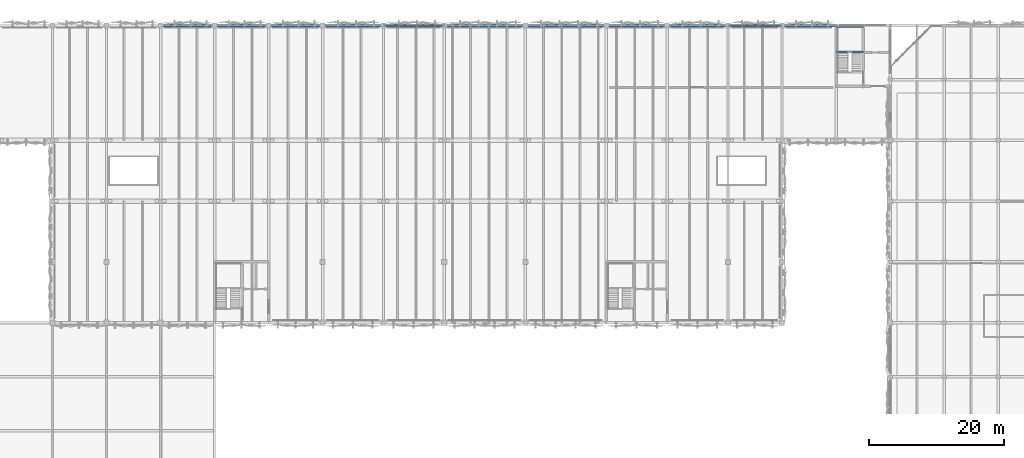
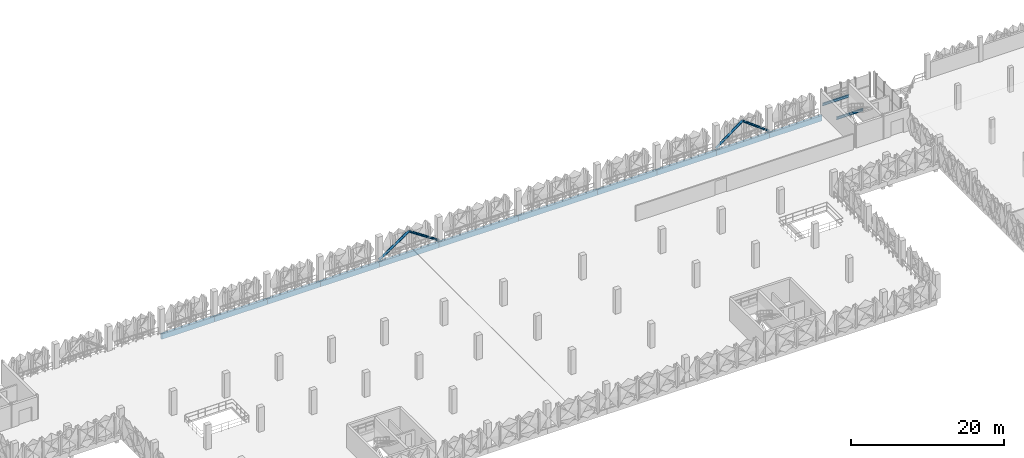
# One storey, part 28 of 76: 13 beams, 4 members.
"""IFC4 building model written with IfcOpenShell, lengths in metres."""

from ifc_helpers import new_model, si_unit, derived_unit, direction, frame, origin, origin_2d, place, context, subcontext, project, spatial, rectangle, hollow_circle, i_section, extrude, material, material_profile, profile_set, type_object, element, save


model = new_model("IFC4")

# Units and contexts
model_context = context("Model", 3, precision=1e-05, world=origin(), true_north=direction((0.0, 1.0)))
body_context = subcontext(model_context, "Body", "Model", "MODEL_VIEW")
ifc_project = project(units=[si_unit("LENGTHUNIT", "METRE"), si_unit("AREAUNIT", "SQUARE_METRE"), si_unit("VOLUMEUNIT", "CUBIC_METRE"), si_unit("PLANEANGLEUNIT", "RADIAN"), si_unit("MASSUNIT", "GRAM", prefix="KILO"), si_unit("THERMODYNAMICTEMPERATUREUNIT", "KELVIN"), derived_unit("THERMALTRANSMITTANCEUNIT", [(si_unit("POWERUNIT", "WATT"), 1), (si_unit("AREAUNIT", "SQUARE_METRE"), -1), (si_unit("THERMODYNAMICTEMPERATUREUNIT", "KELVIN"), -1)])], contexts=[model_context])

# Site, building, storey
site_placement = place(None, origin())
site = spatial("IfcSite", under=ifc_project, at=site_placement, CompositionType="ELEMENT")
building_placement = place(site_placement, origin())
building = spatial("IfcBuilding", under=site, at=building_placement, Name="Haiyu Intermodal Mobility Hub", CompositionType="ELEMENT")
storey_placement = place(building_placement, frame((0.0, 0.0, 17.300048828125)))
storey = spatial("IfcBuildingStorey", under=building, at=storey_placement, Name="L04", CompositionType="ELEMENT", Elevation=17.300048828125)

# Beams
ifc_material_1 = material(Name="Steel Q355C", Category="steel")
ifc_material_profile_1 = material_profile(ifc_material_1, i_section(OverallWidth=0.199951171875, OverallDepth=0.39990234375, WebThickness=0.008056640625, FlangeThickness=0.012939453125, FilletRadius=0.01611328125, at=origin_2d()), Name="HN400x200x8x13")
ifc_profile_set_1 = profile_set([ifc_material_profile_1], Name="Steel Q355C")
beam_type_1 = type_object("IfcBeamType", Name="BM-SB08", PredefinedType="JOIST", material=ifc_profile_set_1)
for number, where, z_axis, x_axis, name in (
    (1, (154.0, 144.1298828125, 1.52490234375), (1.0, 0.0, 0.0), (0.0, 1.0, 0.0), "Stair Half-Landing Front Beam C4-L04"),
    (2, (154.0, 147.780029296875, 1.52490234375), (1.0, 0.0, 0.0), (0.0, 1.0, 0.0), "Stair Half-Landing Rear Beam C4-L04"),
):
    element("IfcBeam", number, at=place(storey_placement, frame(where, z_axis=z_axis, x_axis=x_axis)), inside=storey, type_object=beam_type_1, Name=name, PredefinedType="JOIST", context=body_context, shape_type="SweptSolid", body=[
        extrude(i_section(OverallWidth=0.199951171875, OverallDepth=0.39990234375, WebThickness=0.008056640625, FlangeThickness=0.012939453125, FilletRadius=0.01611328125, at=origin_2d()), origin(), (0.0, 0.0, 1.0), 4.050048828125),
    ])
ifc_material_2 = material(Name="Precast concrete C40", Category="concrete")
ifc_material_profile_2 = material_profile(ifc_material_2, rectangle(XDim=0.320068359375, YDim=0.85009765625, at=origin_2d()), Name="PC320x850")
ifc_profile_set_2 = profile_set([ifc_material_profile_2], Name="Precast concrete C40")
beam_type_2 = type_object("IfcBeamType", Name="BM-SP02", PredefinedType="SPANDREL", material=ifc_profile_set_2)
for number, where, z_axis, x_axis, name in (
    (3, (54.0, 148.0, -0.699951171875), (1.0, 0.0, 0.0), (0.0, 1.0, 0.0), "BM-V4G-L04-045"),
    (4, (62.0, 148.0, -0.699951171875), (1.0, 0.0, 0.0), (0.0, 1.0, 0.0), "BM-V4G-L04-046"),
    (5, (70.0, 148.0, -0.699951171875), (1.0, 0.0, 0.0), (0.0, 1.0, 0.0), "BM-V4G-L04-047"),
):
    element("IfcBeam", number, at=place(storey_placement, frame(where, z_axis=z_axis, x_axis=x_axis)), inside=storey, type_object=beam_type_2, Name=name, PredefinedType="SPANDREL", context=body_context, shape_type="SweptSolid", body=[
        extrude(rectangle(XDim=0.320068359375, YDim=0.85009765625, at=origin_2d()), origin(), (0.0, 0.0, 1.0), 8.0),
    ])
for number, where, z_axis, x_axis, name in (
    (6, (78.0, 148.0, -0.699951171875), (1.0, 0.0, 0.0), (0.0, 1.0, 0.0), "BM-V4G-L04-048"),
    (7, (87.0, 148.0, -0.699951171875), (1.0, 0.0, 0.0), (0.0, 1.0, 0.0), "BM-V4G-L04-049"),
):
    element("IfcBeam", number, at=place(storey_placement, frame(where, z_axis=z_axis, x_axis=x_axis)), inside=storey, type_object=beam_type_2, Name=name, PredefinedType="SPANDREL", context=body_context, shape_type="SweptSolid", body=[
        extrude(rectangle(XDim=0.320068359375, YDim=0.85009765625, at=origin_2d()), origin(), (0.0, 0.0, 1.0), 9.0),
    ])
for number, where, z_axis, x_axis, name in (
    (8, (96.0, 148.0, -0.699951171875), (1.0, 0.0, 0.0), (0.0, 1.0, 0.0), "BM-V4G-L04-050"),
    (9, (108.0, 148.0, -0.699951171875), (1.0, 0.0, 0.0), (0.0, 1.0, 0.0), "BM-V4G-L04-051"),
):
    element("IfcBeam", number, at=place(storey_placement, frame(where, z_axis=z_axis, x_axis=x_axis)), inside=storey, type_object=beam_type_2, Name=name, PredefinedType="SPANDREL", context=body_context, shape_type="SweptSolid", body=[
        extrude(rectangle(XDim=0.320068359375, YDim=0.85009765625, at=origin_2d()), origin(), (0.0, 0.0, 1.0), 12.0),
    ])
for number, where, z_axis, x_axis, name in (
    (10, (120.0, 148.0, -0.699951171875), (1.0, 0.0, 0.0), (0.0, 1.0, 0.0), "BM-V4G-L04-052"),
    (11, (129.0, 148.0, -0.699951171875), (1.0, 0.0, 0.0), (0.0, 1.0, 0.0), "BM-V4G-L04-053"),
):
    element("IfcBeam", number, at=place(storey_placement, frame(where, z_axis=z_axis, x_axis=x_axis)), inside=storey, type_object=beam_type_2, Name=name, PredefinedType="SPANDREL", context=body_context, shape_type="SweptSolid", body=[
        extrude(rectangle(XDim=0.320068359375, YDim=0.85009765625, at=origin_2d()), origin(), (0.0, 0.0, 1.0), 9.0),
    ])
for number, where, z_axis, x_axis, name in (
    (12, (138.0, 148.0, -0.699951171875), (1.0, 0.0, 0.0), (0.0, 1.0, 0.0), "BM-V4G-L04-054"),
    (13, (146.0, 148.0, -0.699951171875), (1.0, 0.0, 0.0), (0.0, 1.0, 0.0), "BM-V4G-L04-055"),
):
    element("IfcBeam", number, at=place(storey_placement, frame(where, z_axis=z_axis, x_axis=x_axis)), inside=storey, type_object=beam_type_2, Name=name, PredefinedType="SPANDREL", context=body_context, shape_type="SweptSolid", body=[
        extrude(rectangle(XDim=0.320068359375, YDim=0.85009765625, at=origin_2d()), origin(), (0.0, 0.0, 1.0), 8.0),
    ])

# Members
ifc_material_profile_3 = material_profile(ifc_material_1, hollow_circle(Radius=0.177978515625, WallThickness=0.011962890625, at=origin_2d()), Name="CHS356x12")
ifc_profile_set_3 = profile_set([ifc_material_profile_3], Name="Steel Q355C")
member_type = type_object("IfcMemberType", Name="MEM-BR01", PredefinedType="BRACE", material=ifc_profile_set_3)
for number, where, z_axis, x_axis, name in (
    (14, (87.0, 148.0, 0.0), (0.832050294338, 0.0, 0.554700196225), (0.0, 1.0, 0.0), "Seismic Chevron Brace B2-L04-A"),
    (15, (96.0, 148.0, 0.0), (-0.832050294338, 0.0, 0.554700196225), (0.0, -1.0, 0.0), "Seismic Chevron Brace B2-L04-B"),
):
    element("IfcMember", number, at=place(storey_placement, frame(where, z_axis=z_axis, x_axis=x_axis)), inside=storey, type_object=member_type, Name=name, PredefinedType="BRACE", context=body_context, shape_type="SweptSolid", body=[
        extrude(hollow_circle(Radius=0.177978515625, WallThickness=0.011962890625, at=origin_2d()), origin(), (0.0, 0.0, 1.0), 5.408447265625),
    ])
for number, where, z_axis, x_axis, name in (
    (16, (138.0, 148.0, 0.0), (0.8, 0.0, 0.6), (0.0, 1.0, 0.0), "Seismic Chevron Brace B3-L04-A"),
    (17, (146.0, 148.0, 0.0), (-0.8, 0.0, 0.6), (0.0, -1.0, 0.0), "Seismic Chevron Brace B3-L04-B"),
):
    element("IfcMember", number, at=place(storey_placement, frame(where, z_axis=z_axis, x_axis=x_axis)), inside=storey, type_object=member_type, Name=name, PredefinedType="BRACE", context=body_context, shape_type="SweptSolid", body=[
        extrude(hollow_circle(Radius=0.177978515625, WallThickness=0.011962890625, at=origin_2d()), origin(), (0.0, 0.0, 1.0), 5.0),
    ])

save(model, "model.ifc")
